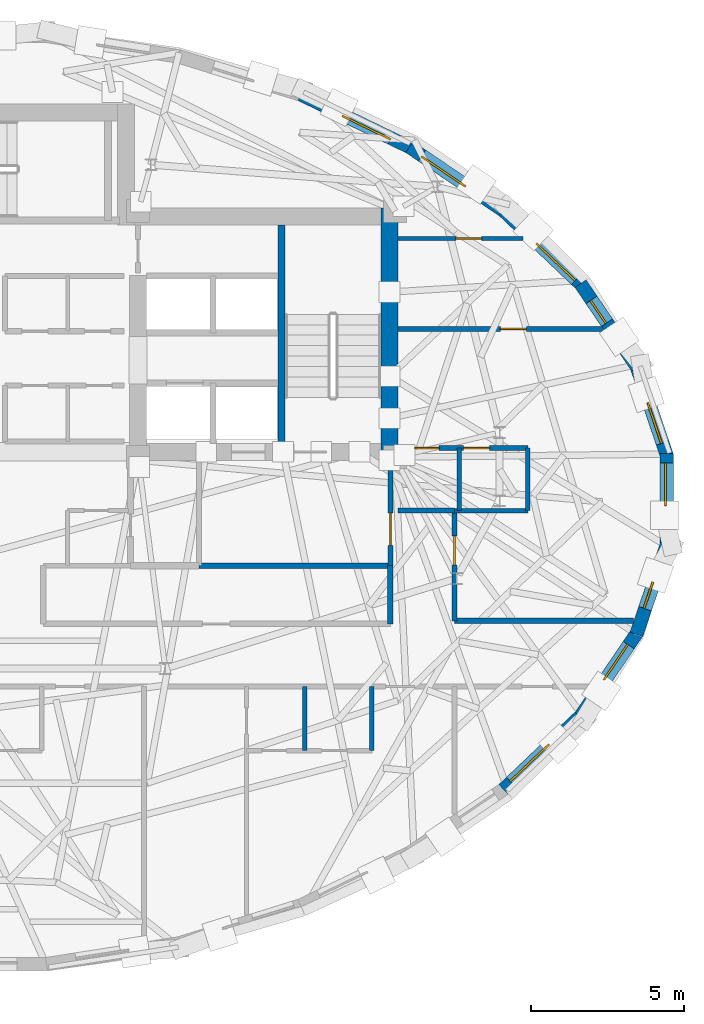
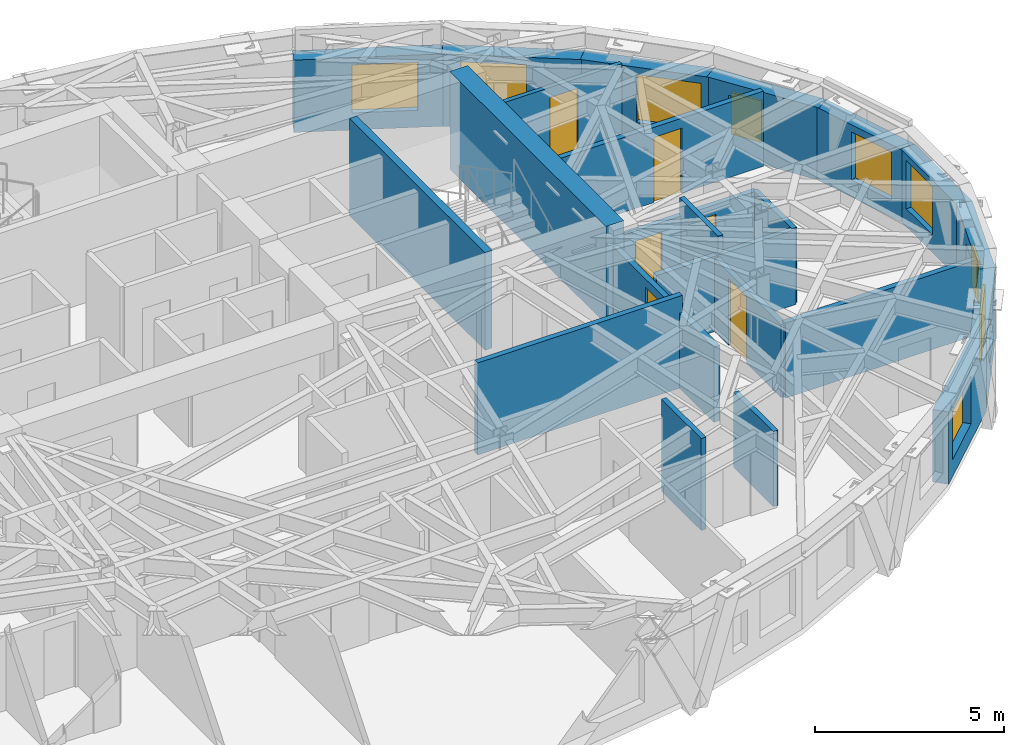
# One storey, part 10 of 14: 25 walls, 9 windows, 6 doors, 15 openings.
"""IFC4 building model written with IfcOpenShell, lengths in metres."""

from ifc_helpers import new_model, si_unit, direction, frame, frame_2d, origin, place, context, subcontext, project, spatial, rectangle, extrude, material, layer, layer_set, type_object, element, fill, save


model = new_model("IFC4")

# Units and contexts
model_context = context("Model", 3, precision=1e-05, world=origin(), true_north=direction((0.0, 1.0)))
body_context = subcontext(model_context, "Body", "Model", "MODEL_VIEW")
ifc_project = project(units=[si_unit("LENGTHUNIT", "METRE"), si_unit("AREAUNIT", "SQUARE_METRE"), si_unit("VOLUMEUNIT", "CUBIC_METRE"), si_unit("PLANEANGLEUNIT", "RADIAN"), si_unit("MASSUNIT", "GRAM", prefix="KILO")], contexts=[model_context])

# Site, building, storey
site_placement = place(None, origin())
site = spatial("IfcSite", under=ifc_project, at=site_placement, CompositionType="ELEMENT")
building_placement = place(site_placement, origin())
building = spatial("IfcBuilding", under=site, at=building_placement, Name="Keldmark Tower", CompositionType="ELEMENT")
storey_placement = place(building_placement, frame((0.0, 0.0, 225.75)))
storey = spatial("IfcBuildingStorey", under=building, at=storey_placement, Name="L63", CompositionType="ELEMENT", Elevation=225.75)

# Walls
ifc_material_1 = material(Name="Heavy Acoustic Plumbing Chase Gypsum Assembly", Category="gypsum")
ifc_layer_1 = layer(ifc_material_1, 0.18994140625)
ifc_layer_set_1 = layer_set([ifc_layer_1], Name="Heavy Acoustic Plumbing Chase Gypsum Assembly")
wall_type_1 = type_object("IfcWallType", Name="Heavy Wet Wall 190 mm", PredefinedType="PLUMBINGWALL", material=ifc_layer_set_1)
wall_1_placement = place(storey_placement, frame((13.449951171875, -4.050048828125, 0.0), z_axis=(0.0, 0.0, 1.0), x_axis=(0.0, 1.0, 0.0)))
element("IfcWall", 1, at=wall_1_placement, inside=storey, type_object=wall_type_1, Name="L63 Heavy Wet Wall 190 mm SPK-E-E", PredefinedType="PLUMBINGWALL", context=body_context, shape_type="SweptSolid", body=[
    extrude(rectangle(XDim=1.900146484375, YDim=0.18994140625, at=frame_2d((0.9501953125, 0.0))), origin(), (0.0, 0.0, 1.0), 2.423095703125),
])
ifc_material_2 = material(Name="Concrete C50/60", Category="concrete")
ifc_layer_2 = layer(ifc_material_2, 0.550048828125)
ifc_layer_set_2 = layer_set([ifc_layer_2], Name="Concrete C50/60")
wall_type_2 = type_object("IfcWallType", Name="High-Rise Core Shear Wall 550 mm", PredefinedType="SHEAR", material=ifc_layer_set_2)
wall_2_placement = place(storey_placement, frame((13.425048828125, 1.300048828125, 0.0), z_axis=(0.0, 0.0, 1.0), x_axis=(0.0, 1.0, 0.0)))
element("IfcWall", 2, at=wall_2_placement, inside=storey, type_object=wall_type_2, Name="L63 East Core Outer Shear Wall", PredefinedType="SHEAR", context=body_context, shape_type="SweptSolid", body=[
    extrude(rectangle(XDim=8.25, YDim=0.550048828125, at=frame_2d((4.125, 0.0))), origin(), (0.0, 0.0, 1.0), 3.14990234375),
])

# Wall, opening, door
ifc_material_3 = material(Name="Acoustic Gypsum Board Interior Partition", Category="gypsum")
ifc_layer_3 = layer(ifc_material_3, 0.1298828125)
ifc_layer_set_3 = layer_set([ifc_layer_3], Name="Acoustic Gypsum Board Interior Partition")
wall_type_3 = type_object("IfcWallType", Name="Interior Partition 130 mm", PredefinedType="PARTITIONING", material=ifc_layer_set_3)
wall_3_placement = place(storey_placement, frame((13.699951171875, 8.550048828125, 0.0), z_axis=(0.0, 0.0, 1.0), x_axis=(1.0, 0.0, 0.0)))
wall_3 = element("IfcWall", 3, at=wall_3_placement, inside=storey, type_object=wall_type_3, Name="L63 Interior Partition 130 mm UE-NDIV2", PredefinedType="PARTITIONING", context=body_context, shape_type="SweptSolid", body=[
    extrude(rectangle(XDim=4.0849609375, YDim=0.1298828125, at=frame_2d((2.04248046875, 0.0))), origin(), (0.0, 0.0, 1.0), 2.423095703125),
])
opening_1_placement = place(wall_3_placement, frame((1.89111328125, 0.0, 0.0)))
opening_1 = element("IfcOpeningElement", 4, at=opening_1_placement, cuts=wall_3, Name="Opening D-IN085", PredefinedType="OPENING", context=body_context, shape_type="SweptSolid", body=[
    extrude(rectangle(XDim=0.85009765625, YDim=2.10009765625, at=frame_2d((0.425048828125, 1.050048828125))), frame((0.0, 0.074951171875, 0.0), z_axis=(0.0, -1.0, 0.0), x_axis=(1.0, 0.0, 0.0)), (0.0, 0.0, 1.0), 0.14990234375),
])
ifc_material_4 = material(Name="Painted Architectural Wood", Category="wood")
door_type_1 = type_object("IfcDoorType", Name="Interior Door 850x2100", OperationType="NOTDEFINED", PredefinedType="DOOR", material=ifc_material_4)
door_1_placement = place(opening_1_placement, origin())
door_1 = element("IfcDoor", 5, at=door_1_placement, inside=storey, type_object=door_type_1, Name="L63 Interior Door 850x2100 D-UE-BR2-L63", OperationType="SINGLE_SWING_RIGHT", OverallHeight=2.10009765625, OverallWidth=0.85009765625, PredefinedType="DOOR", context=body_context, shape_type="SweptSolid", body=[
    extrude(rectangle(XDim=0.85009765625, YDim=2.10009765625, at=frame_2d((0.425048828125, 1.050048828125))), frame((0.0, 0.02490234375, 0.0), z_axis=(0.0, -1.0, 0.0), x_axis=(1.0, 0.0, 0.0)), (0.0, 0.0, 1.0), 0.050048828125),
])
fill(opening_1, door_1)

# Wall
ifc_material_5 = material(Name="Type X Fire-Rated Gypsum Partition Assembly", Category="gypsum")
ifc_layer_4 = layer(ifc_material_5, 0.1650390625)
ifc_layer_set_4 = layer_set([ifc_layer_4], Name="Type X Fire-Rated Gypsum Partition Assembly")
wall_type_4 = type_object("IfcWallType", Name="Rated Partition 165 mm", PredefinedType="PARTITIONING", material=ifc_layer_set_4)
wall_4_placement = place(storey_placement, frame((7.199951171875, -2.14990234375, 0.0), z_axis=(0.0, 0.0, 1.0), x_axis=(1.0, 0.0, 0.0)))
element("IfcWall", 6, at=wall_4_placement, inside=storey, type_object=wall_type_4, Name="L63 Rated Partition 165 mm FSAE-E-S", PredefinedType="PARTITIONING", context=body_context, shape_type="SweptSolid", body=[
    extrude(rectangle(XDim=6.25, YDim=0.1650390625, at=frame_2d((3.125, 0.0))), origin(), (0.0, 0.0, 1.0), 2.969970703125),
])

# Wall, opening, door
wall_5_placement = place(storey_placement, frame((13.449951171875, -2.14990234375, 0.0), z_axis=(0.0, 0.0, 1.0), x_axis=(0.0, 1.0, 0.0)))
wall_5 = element("IfcWall", 7, at=wall_5_placement, inside=storey, type_object=wall_type_4, Name="L63 Rated Partition 165 mm FSAE-E-E", PredefinedType="PARTITIONING", context=body_context, shape_type="SweptSolid", body=[
    extrude(rectangle(XDim=3.5, YDim=0.1650390625, at=frame_2d((1.75, 0.0))), origin(), (0.0, 0.0, 1.0), 2.423095703125),
])
opening_2_placement = place(wall_5_placement, frame((0.669921875, 0.0, 0.0)))
opening_2 = element("IfcOpeningElement", 8, at=opening_2_placement, cuts=wall_5, Name="Opening D-FL105", PredefinedType="OPENING", context=body_context, shape_type="SweptSolid", body=[
    extrude(rectangle(XDim=1.050048828125, YDim=2.14990234375, at=frame_2d((0.52490234375, 1.074951171875))), frame((0.0, 0.092529296875, 0.0), z_axis=(0.0, -1.0, 0.0), x_axis=(1.0, 0.0, 0.0)), (0.0, 0.0, 1.0), 0.18505859375),
])
ifc_material_6 = material(Name="Fire-Rated Mineral-Core Door and Vision Lite", Category="metal")
door_type_2 = type_object("IfcDoorType", Name="Fire Lobby Door 1050x2150", OperationType="NOTDEFINED", PredefinedType="DOOR", material=ifc_material_6)
door_2_placement = place(opening_2_placement, origin())
door_2 = element("IfcDoor", 9, at=door_2_placement, inside=storey, type_object=door_type_2, Name="L63 Fire Lobby Door 1050x2150 D-FSAEE-OUT-L63", OperationType="SINGLE_SWING_RIGHT", OverallHeight=2.14990234375, OverallWidth=1.050048828125, PredefinedType="DOOR", context=body_context, shape_type="SweptSolid", body=[
    extrude(rectangle(XDim=1.050048828125, YDim=2.14990234375, at=frame_2d((0.52490234375, 1.074951171875))), frame((0.0, 0.02490234375, 0.0), z_axis=(0.0, -1.0, 0.0), x_axis=(1.0, 0.0, 0.0)), (0.0, 0.0, 1.0), 0.050048828125),
])
fill(opening_2, door_2)

# Wall
wall_6_placement = place(storey_placement, frame((15.550048828125, -3.949951171875, 0.0), z_axis=(0.0, 0.0, 1.0), x_axis=(1.0, 0.0, 0.0)))
element("IfcWall", 10, at=wall_6_placement, inside=storey, type_object=wall_type_4, Name="L63 Rated Partition 165 mm RCOR-EN-OUT", PredefinedType="PARTITIONING", context=body_context, shape_type="SweptSolid", body=[
    extrude(rectangle(XDim=5.8603515625, YDim=0.1650390625, at=frame_2d((2.93017578125, 0.0))), origin(), (0.0, 0.0, 1.0), 2.423095703125),
])

# Wall, opening, door
wall_7_placement = place(storey_placement, frame((15.550048828125, -3.949951171875, 0.0), z_axis=(0.0, 0.0, 1.0), x_axis=(0.0, 1.0, 0.0)))
wall_7 = element("IfcWall", 11, at=wall_7_placement, inside=storey, type_object=wall_type_4, Name="L63 Rated Partition 165 mm RCOR-VE", PredefinedType="PARTITIONING", context=body_context, shape_type="SweptSolid", body=[
    extrude(rectangle(XDim=3.599853515625, YDim=0.1650390625, at=frame_2d((1.7998046875, 0.0))), origin(), (0.0, 0.0, 1.0), 2.35693359375),
])
opening_3_placement = place(wall_7_placement, frame((1.830078125, 0.0, 0.0)))
opening_3 = element("IfcOpeningElement", 12, at=opening_3_placement, cuts=wall_7, Name="Opening D-AP095", PredefinedType="OPENING", context=body_context, shape_type="SweptSolid", body=[
    extrude(rectangle(XDim=0.949951171875, YDim=2.14990234375, at=frame_2d((0.47509765625, 1.074951171875))), frame((0.0, 0.092529296875, 0.0), z_axis=(0.0, -1.0, 0.0), x_axis=(1.0, 0.0, 0.0)), (0.0, 0.0, 1.0), 0.18505859375),
])
ifc_material_7 = material(Name="Solid-Core Walnut Fire-Rated Entry Assembly", Category="wood")
door_type_3 = type_object("IfcDoorType", Name="Apartment Entry Door 950x2150", OperationType="NOTDEFINED", PredefinedType="DOOR", material=ifc_material_7)
door_3_placement = place(opening_3_placement, origin())
door_3 = element("IfcDoor", 13, at=door_3_placement, inside=storey, type_object=door_type_3, Name="L63 Apartment Entry Door 950x2150 D-UE-ENT-L63", OperationType="SINGLE_SWING_RIGHT", OverallHeight=2.14990234375, OverallWidth=0.949951171875, PredefinedType="DOOR", context=body_context, shape_type="SweptSolid", body=[
    extrude(rectangle(XDim=0.949951171875, YDim=2.14990234375, at=frame_2d((0.47509765625, 1.074951171875))), frame((0.0, 0.02490234375, 0.0), z_axis=(0.0, -1.0, 0.0), x_axis=(1.0, 0.0, 0.0)), (0.0, 0.0, 1.0), 0.050048828125),
])
fill(opening_3, door_3)

# Wall
wall_8_placement = place(storey_placement, frame((13.699951171875, -0.35009765625, 0.0), z_axis=(0.0, 0.0, 1.0), x_axis=(1.0, 0.0, 0.0)))
element("IfcWall", 14, at=wall_8_placement, inside=storey, type_object=wall_type_4, Name="L63 Rated Partition 165 mm RCOR-VEN", PredefinedType="PARTITIONING", context=body_context, shape_type="SweptSolid", body=[
    extrude(rectangle(XDim=1.85009765625, YDim=0.1650390625, at=frame_2d((0.925048828125, 0.0))), origin(), (0.0, 0.0, 1.0), 2.423095703125),
])

# Wall, opening, door
wall_9_placement = place(storey_placement, frame((13.699951171875, 5.60009765625, 0.0), z_axis=(0.0, 0.0, 1.0), x_axis=(1.0, 0.0, 0.0)))
wall_9 = element("IfcWall", 15, at=wall_9_placement, inside=storey, type_object=wall_type_4, Name="L63 Rated Partition 165 mm RE-NDIV", PredefinedType="PARTITIONING", context=body_context, shape_type="SweptSolid", body=[
    extrude(rectangle(XDim=6.6982421875, YDim=0.1650390625, at=frame_2d((3.34912109375, 0.0))), origin(), (0.0, 0.0, 1.0), 2.423095703125),
])
opening_4_placement = place(wall_9_placement, frame((3.35205078125, 0.0, 0.0)))
opening_4 = element("IfcOpeningElement", 16, at=opening_4_placement, cuts=wall_9, Name="Opening D-BR085", PredefinedType="OPENING", context=body_context, shape_type="SweptSolid", body=[
    extrude(rectangle(XDim=0.85009765625, YDim=2.10009765625, at=frame_2d((0.425048828125, 1.050048828125))), frame((0.0, 0.092529296875, 0.0), z_axis=(0.0, -1.0, 0.0), x_axis=(1.0, 0.0, 0.0)), (0.0, 0.0, 1.0), 0.18505859375),
])
ifc_material_8 = material(Name="Solid-Core Stained Walnut Wood", Category="wood")
door_type_4 = type_object("IfcDoorType", Name="Bedroom Door 850x2100", OperationType="NOTDEFINED", PredefinedType="DOOR", material=ifc_material_8)
door_4_placement = place(opening_4_placement, origin())
door_4 = element("IfcDoor", 17, at=door_4_placement, inside=storey, type_object=door_type_4, Name="L63 Bedroom Door 850x2100 D-UE-BR1-L63", OperationType="SINGLE_SWING_LEFT", OverallHeight=2.10009765625, OverallWidth=0.85009765625, PredefinedType="DOOR", context=body_context, shape_type="SweptSolid", body=[
    extrude(rectangle(XDim=0.85009765625, YDim=2.10009765625, at=frame_2d((0.425048828125, 1.050048828125))), frame((0.0, 0.02490234375, 0.0), z_axis=(0.0, -1.0, 0.0), x_axis=(1.0, 0.0, 0.0)), (0.0, 0.0, 1.0), 0.050048828125),
])
fill(opening_4, door_4)

# Wall
ifc_material_9 = material(Name="Concrete C50/60", Category="concrete")
ifc_layer_5 = layer(ifc_material_9, 0.219970703125)
ifc_layer_set_5 = layer_set([ifc_layer_5], Name="Concrete C50/60")
wall_type_5 = type_object("IfcWallType", Name="Stair Core Shear Wall 220 mm", PredefinedType="SHEAR", material=ifc_layer_set_5)
wall_10_placement = place(storey_placement, frame((9.889892578125, 1.85009765625, 0.0), z_axis=(0.0, 0.0, 1.0), x_axis=(0.0, 1.0, 0.0)))
element("IfcWall", 18, at=wall_10_placement, inside=storey, type_object=wall_type_5, Name="L63 East Stair Core Shear Wall", PredefinedType="SHEAR", context=body_context, shape_type="SweptSolid", body=[
    extrude(rectangle(XDim=7.14990234375, YDim=0.219970703125, at=frame_2d((3.574951171875, 0.0))), origin(), (0.0, 0.0, 1.0), 3.14990234375),
])

# Wall, opening, window
ifc_material_10 = material(Name="Ironspot Manganese Brick and Kasota Buff Limestone Spandrel Assembly", Category="masonry")
ifc_layer_6 = layer(ifc_material_10, 0.43994140625)
ifc_layer_set_6 = layer_set([ifc_layer_6], Name="Ironspot Manganese Brick and Kasota Buff Limestone Spandrel Assembly")
wall_type_6 = type_object("IfcWallType", Name="Tower Brick Pier and Spandrel Wall 440 mm", PredefinedType="STANDARD", material=ifc_layer_set_6)
wall_11_placement = place(storey_placement, frame((21.500244140625, 4.395263671875, 0.0), z_axis=(0.0, 0.0, 1.0), x_axis=(0.32132647272, -0.946968477791, 0.0)))
wall_11 = element("IfcWall", 19, at=wall_11_placement, inside=storey, type_object=wall_type_6, Name="L63 Exterior Brick and Spandrel Wall 01", PredefinedType="STANDARD", context=body_context, shape_type="SweptSolid", body=[
    extrude(rectangle(XDim=3.1142578125, YDim=0.43994140625, at=frame_2d((1.55712890625, 0.0))), origin(), (0.0, 0.0, 1.0), 2.3359375),
])
opening_5_placement = place(wall_11_placement, frame((1.27099609375, 0.0, 0.550048828125)))
opening_5 = element("IfcOpeningElement", 20, at=opening_5_placement, cuts=wall_11, Name="Opening W-08", PredefinedType="OPENING", context=body_context, shape_type="SweptSolid", body=[
    extrude(rectangle(XDim=1.39990234375, YDim=1.550048828125, at=frame_2d((0.699951171875, 0.77490234375))), frame((0.0, 0.22998046875, 0.0), z_axis=(0.0, -1.0, 0.0), x_axis=(1.0, 0.0, 0.0)), (0.0, 0.0, 1.0), 0.4599609375),
])
ifc_material_11 = material(Name="Thermally Broken Anodized Aluminum and Triple Low-E Argon Glazing", Category="aluminium")
window_type_1 = type_object("IfcWindowType", Name="Residential Corner Punched Window 1400x1550", PartitioningType="SINGLE_PANEL", PredefinedType="WINDOW", material=ifc_material_11)
window_1_placement = place(opening_5_placement, origin())
window_1 = element("IfcWindow", 21, at=window_1_placement, inside=storey, type_object=window_type_1, Name="L63 Deep-Set Window 01", OverallHeight=1.550048828125, OverallWidth=1.39990234375, PartitioningType="SINGLE_PANEL", PredefinedType="WINDOW", context=body_context, shape_type="SweptSolid", body=[
    extrude(rectangle(XDim=1.39990234375, YDim=1.550048828125, at=frame_2d((0.699951171875, 0.77490234375))), frame((0.0, -0.010009765625, 0.0), z_axis=(0.0, -1.0, 0.0), x_axis=(1.0, 0.0, 0.0)), (0.0, 0.0, 1.0), 0.06005859375),
])
fill(opening_5, window_1)

wall_12_placement = place(storey_placement, frame((19.674072265625, 7.07421875, 0.0), z_axis=(0.0, 0.0, 1.0), x_axis=(0.561186647073, -0.827689281764, 0.0)))
wall_12 = element("IfcWall", 22, at=wall_12_placement, inside=storey, type_object=wall_type_6, Name="L63 Exterior Brick and Spandrel Wall 02", PredefinedType="STANDARD", context=body_context, shape_type="SweptSolid", body=[
    extrude(rectangle(XDim=3.30078125, YDim=0.43994140625, at=frame_2d((1.650390625, 0.0))), origin(), (0.0, 0.0, 1.0), 2.3359375),
])
opening_6_placement = place(wall_12_placement, frame((0.63916015625, 0.0, 0.580078125)))
opening_6 = element("IfcOpeningElement", 23, at=opening_6_placement, cuts=wall_12, Name="Opening W-09", PredefinedType="OPENING", context=body_context, shape_type="SweptSolid", body=[
    extrude(rectangle(XDim=0.89990234375, YDim=1.35009765625, at=frame_2d((0.449951171875, 0.675048828125))), frame((0.0, 0.22998046875, 0.0), z_axis=(0.0, -1.0, 0.0), x_axis=(1.0, 0.0, 0.0)), (0.0, 0.0, 1.0), 0.4599609375),
])
ifc_material_12 = material(Name="Thermally Broken Anodized Aluminum and Triple Low-E Argon Glazing", Category="aluminium")
window_type_2 = type_object("IfcWindowType", Name="Corner Pier Deep-Set Window 900x1350", PartitioningType="SINGLE_PANEL", PredefinedType="WINDOW", material=ifc_material_12)
window_2_placement = place(opening_6_placement, origin())
window_2 = element("IfcWindow", 24, at=window_2_placement, inside=storey, type_object=window_type_2, Name="L63 Deep-Set Window 02", OverallHeight=1.35009765625, OverallWidth=0.89990234375, PartitioningType="SINGLE_PANEL", PredefinedType="WINDOW", context=body_context, shape_type="SweptSolid", body=[
    extrude(rectangle(XDim=0.89990234375, YDim=1.35009765625, at=frame_2d((0.449951171875, 0.675048828125))), frame((0.0, -0.010009765625, 0.0), z_axis=(0.0, -1.0, 0.0), x_axis=(1.0, 0.0, 0.0)), (0.0, 0.0, 1.0), 0.06005859375),
])
fill(opening_6, window_2)

wall_13_placement = place(storey_placement, frame((17.149169921875, 9.469482421875, 0.0), z_axis=(0.0, 0.0, 1.0), x_axis=(0.724503260132, -0.689271373306, 0.0)))
wall_13 = element("IfcWall", 25, at=wall_13_placement, inside=storey, type_object=wall_type_6, Name="L63 Exterior Brick and Spandrel Wall 03", PredefinedType="STANDARD", context=body_context, shape_type="SweptSolid", body=[
    extrude(rectangle(XDim=3.527099609375, YDim=0.43994140625, at=frame_2d((1.763671875, 0.0))), origin(), (0.0, 0.0, 1.0), 2.3359375),
])
opening_7_placement = place(wall_13_placement, frame((1.528076171875, 0.0, 0.550048828125)))
opening_7 = element("IfcOpeningElement", 26, at=opening_7_placement, cuts=wall_13, Name="Opening W-05", PredefinedType="OPENING", context=body_context, shape_type="SweptSolid", body=[
    extrude(rectangle(XDim=1.75, YDim=1.550048828125, at=frame_2d((0.875, 0.77490234375))), frame((0.0, 0.22998046875, 0.0), z_axis=(0.0, -1.0, 0.0), x_axis=(1.0, 0.0, 0.0)), (0.0, 0.0, 1.0), 0.4599609375),
])
ifc_material_13 = material(Name="Thermally Broken Anodized Aluminum and Triple Low-E Argon Glazing", Category="aluminium")
window_type_3 = type_object("IfcWindowType", Name="Residential Deep-Set Window 1750x1550", PartitioningType="DOUBLE_PANEL_VERTICAL", PredefinedType="WINDOW", material=ifc_material_13)
window_3_placement = place(opening_7_placement, origin())
window_3 = element("IfcWindow", 27, at=window_3_placement, inside=storey, type_object=window_type_3, Name="L63 Deep-Set Window 03", OverallHeight=1.550048828125, OverallWidth=1.75, PartitioningType="SINGLE_PANEL", PredefinedType="WINDOW", context=body_context, shape_type="SweptSolid", body=[
    extrude(rectangle(XDim=1.75, YDim=1.550048828125, at=frame_2d((0.875, 0.77490234375))), frame((0.0, -0.010009765625, 0.0), z_axis=(0.0, -1.0, 0.0), x_axis=(1.0, 0.0, 0.0)), (0.0, 0.0, 1.0), 0.06005859375),
])
fill(opening_7, window_3)

wall_14_placement = place(storey_placement, frame((14.07470703125, 11.55078125, 0.0), z_axis=(0.0, 0.0, 1.0), x_axis=(0.827635686249, -0.561265686504, 0.0)))
wall_14 = element("IfcWall", 28, at=wall_14_placement, inside=storey, type_object=wall_type_6, Name="L63 Exterior Brick and Spandrel Wall 04", PredefinedType="STANDARD", context=body_context, shape_type="SweptSolid", body=[
    extrude(rectangle(XDim=3.748779296875, YDim=0.43994140625, at=frame_2d((1.87451171875, 0.0))), origin(), (0.0, 0.0, 1.0), 2.3359375),
])
opening_8_placement = place(wall_14_placement, frame((0.499755859375, 0.0, 0.550048828125)))
opening_8 = element("IfcOpeningElement", 29, at=opening_8_placement, cuts=wall_14, Name="Opening W-05", PredefinedType="OPENING", context=body_context, shape_type="SweptSolid", body=[
    extrude(rectangle(XDim=1.75, YDim=1.550048828125, at=frame_2d((0.875, 0.77490234375))), frame((0.0, 0.22998046875, 0.0), z_axis=(0.0, -1.0, 0.0), x_axis=(1.0, 0.0, 0.0)), (0.0, 0.0, 1.0), 0.4599609375),
])
window_4_placement = place(opening_8_placement, origin())
window_4 = element("IfcWindow", 30, at=window_4_placement, inside=storey, type_object=window_type_3, Name="L63 Deep-Set Window 04", OverallHeight=1.550048828125, OverallWidth=1.75, PartitioningType="SINGLE_PANEL", PredefinedType="WINDOW", context=body_context, shape_type="SweptSolid", body=[
    extrude(rectangle(XDim=1.75, YDim=1.550048828125, at=frame_2d((0.875, 0.77490234375))), frame((0.0, -0.010009765625, 0.0), z_axis=(0.0, -1.0, 0.0), x_axis=(1.0, 0.0, 0.0)), (0.0, 0.0, 1.0), 0.06005859375),
])
fill(opening_8, window_4)

wall_15_placement = place(storey_placement, frame((10.517578125, 13.267822265625, 0.0), z_axis=(0.0, 0.0, 1.0), x_axis=(0.900331335269, -0.435205108808, 0.0)))
wall_15 = element("IfcWall", 31, at=wall_15_placement, inside=storey, type_object=wall_type_6, Name="L63 Exterior Brick and Spandrel Wall 05", PredefinedType="STANDARD", context=body_context, shape_type="SweptSolid", body=[
    extrude(rectangle(XDim=3.98193359375, YDim=0.43994140625, at=frame_2d((1.990966796875, 0.0))), origin(), (0.0, 0.0, 1.0), 2.3359375),
])
opening_9_placement = place(wall_15_placement, frame((1.536865234375, 0.0, 0.550048828125)))
opening_9 = element("IfcOpeningElement", 32, at=opening_9_placement, cuts=wall_15, Name="Opening W-05", PredefinedType="OPENING", context=body_context, shape_type="SweptSolid", body=[
    extrude(rectangle(XDim=1.75, YDim=1.550048828125, at=frame_2d((0.875, 0.77490234375))), frame((0.0, 0.22998046875, 0.0), z_axis=(0.0, -1.0, 0.0), x_axis=(1.0, 0.0, 0.0)), (0.0, 0.0, 1.0), 0.4599609375),
])
window_5_placement = place(opening_9_placement, origin())
window_5 = element("IfcWindow", 33, at=window_5_placement, inside=storey, type_object=window_type_3, Name="L63 Deep-Set Window 05", OverallHeight=1.550048828125, OverallWidth=1.75, PartitioningType="SINGLE_PANEL", PredefinedType="WINDOW", context=body_context, shape_type="SweptSolid", body=[
    extrude(rectangle(XDim=1.75, YDim=1.550048828125, at=frame_2d((0.875, 0.77490234375))), frame((0.0, -0.010009765625, 0.0), z_axis=(0.0, -1.0, 0.0), x_axis=(1.0, 0.0, 0.0)), (0.0, 0.0, 1.0), 0.06005859375),
])
fill(opening_9, window_5)

wall_16_placement = place(storey_placement, frame((19.70458984375, -7.038330078125, 0.0), z_axis=(0.0, 0.0, 1.0), x_axis=(-0.724503260132, -0.689271373306, 0.0)))
wall_16 = element("IfcWall", 34, at=wall_16_placement, inside=storey, type_object=wall_type_6, Name="L63 Exterior Brick and Spandrel Wall 29", PredefinedType="STANDARD", context=body_context, shape_type="SweptSolid", body=[
    extrude(rectangle(XDim=3.527099609375, YDim=0.43994140625, at=frame_2d((1.763671875, 0.0))), origin(), (0.0, 0.0, 1.0), 2.3359375),
])
opening_10_placement = place(wall_16_placement, frame((1.4296875, 0.0, 0.550048828125)))
opening_10 = element("IfcOpeningElement", 35, at=opening_10_placement, cuts=wall_16, Name="Opening W-05", PredefinedType="OPENING", context=body_context, shape_type="SweptSolid", body=[
    extrude(rectangle(XDim=1.75, YDim=1.550048828125, at=frame_2d((0.875, 0.77490234375))), frame((0.0, 0.22998046875, 0.0), z_axis=(0.0, -1.0, 0.0), x_axis=(1.0, 0.0, 0.0)), (0.0, 0.0, 1.0), 0.4599609375),
])
window_6_placement = place(opening_10_placement, origin())
window_6 = element("IfcWindow", 36, at=window_6_placement, inside=storey, type_object=window_type_3, Name="L63 Deep-Set Window 29", OverallHeight=1.550048828125, OverallWidth=1.75, PartitioningType="SINGLE_PANEL", PredefinedType="WINDOW", context=body_context, shape_type="SweptSolid", body=[
    extrude(rectangle(XDim=1.75, YDim=1.550048828125, at=frame_2d((0.875, 0.77490234375))), frame((0.0, -0.010009765625, 0.0), z_axis=(0.0, -1.0, 0.0), x_axis=(1.0, 0.0, 0.0)), (0.0, 0.0, 1.0), 0.06005859375),
])
fill(opening_10, window_6)

wall_17_placement = place(storey_placement, frame((21.5263671875, -4.34228515625, 0.0), z_axis=(0.0, 0.0, 1.0), x_axis=(-0.561186647073, -0.827689281764, 0.0)))
wall_17 = element("IfcWall", 37, at=wall_17_placement, inside=storey, type_object=wall_type_6, Name="L63 Exterior Brick and Spandrel Wall 30", PredefinedType="STANDARD", context=body_context, shape_type="SweptSolid", body=[
    extrude(rectangle(XDim=3.30078125, YDim=0.43994140625, at=frame_2d((1.650390625, 0.0))), origin(), (0.0, 0.0, 1.0), 2.3359375),
])
opening_11_placement = place(wall_17_placement, frame((0.490478515625, 0.0, 0.580078125)))
opening_11 = element("IfcOpeningElement", 38, at=opening_11_placement, cuts=wall_17, Name="Opening W-08", PredefinedType="OPENING", context=body_context, shape_type="SweptSolid", body=[
    extrude(rectangle(XDim=1.39990234375, YDim=1.550048828125, at=frame_2d((0.699951171875, 0.77490234375))), frame((0.0, 0.22998046875, 0.0), z_axis=(0.0, -1.0, 0.0), x_axis=(1.0, 0.0, 0.0)), (0.0, 0.0, 1.0), 0.4599609375),
])
window_7_placement = place(opening_11_placement, origin())
window_7 = element("IfcWindow", 39, at=window_7_placement, inside=storey, type_object=window_type_1, Name="L63 Deep-Set Window 30", OverallHeight=1.550048828125, OverallWidth=1.39990234375, PartitioningType="SINGLE_PANEL", PredefinedType="WINDOW", context=body_context, shape_type="SweptSolid", body=[
    extrude(rectangle(XDim=1.39990234375, YDim=1.550048828125, at=frame_2d((0.699951171875, 0.77490234375))), frame((0.0, -0.010009765625, 0.0), z_axis=(0.0, -1.0, 0.0), x_axis=(1.0, 0.0, 0.0)), (0.0, 0.0, 1.0), 0.06005859375),
])
fill(opening_11, window_7)

wall_18_placement = place(storey_placement, frame((22.5009765625, -1.446044921875, 0.0), z_axis=(0.0, 0.0, 1.0), x_axis=(-0.32132647272, -0.946968477791, 0.0)))
wall_18 = element("IfcWall", 40, at=wall_18_placement, inside=storey, type_object=wall_type_6, Name="L63 Exterior Brick and Spandrel Wall 31", PredefinedType="STANDARD", context=body_context, shape_type="SweptSolid", body=[
    extrude(rectangle(XDim=3.1142578125, YDim=0.43994140625, at=frame_2d((1.55712890625, 0.0))), origin(), (0.0, 0.0, 1.0), 2.3359375),
])
opening_12_placement = place(wall_18_placement, frame((1.327880859375, 0.0, 0.580078125)))
opening_12 = element("IfcOpeningElement", 41, at=opening_12_placement, cuts=wall_18, Name="Opening W-09", PredefinedType="OPENING", context=body_context, shape_type="SweptSolid", body=[
    extrude(rectangle(XDim=0.89990234375, YDim=1.35009765625, at=frame_2d((0.449951171875, 0.675048828125))), frame((0.0, 0.22998046875, 0.0), z_axis=(0.0, -1.0, 0.0), x_axis=(1.0, 0.0, 0.0)), (0.0, 0.0, 1.0), 0.4599609375),
])
window_8_placement = place(opening_12_placement, origin())
window_8 = element("IfcWindow", 42, at=window_8_placement, inside=storey, type_object=window_type_2, Name="L63 Deep-Set Window 31", OverallHeight=1.35009765625, OverallWidth=0.89990234375, PartitioningType="SINGLE_PANEL", PredefinedType="WINDOW", context=body_context, shape_type="SweptSolid", body=[
    extrude(rectangle(XDim=0.89990234375, YDim=1.35009765625, at=frame_2d((0.449951171875, 0.675048828125))), frame((0.0, -0.010009765625, 0.0), z_axis=(0.0, -1.0, 0.0), x_axis=(1.0, 0.0, 0.0)), (0.0, 0.0, 1.0), 0.06005859375),
])
fill(opening_12, window_8)

wall_19_placement = place(storey_placement, frame((22.4892578125, 1.516845703125, 0.0), z_axis=(0.0, 0.0, 1.0), x_axis=(0.0, -1.0, 0.0)))
wall_19 = element("IfcWall", 43, at=wall_19_placement, inside=storey, type_object=wall_type_6, Name="L63 Exterior Brick and Spandrel Wall 32", PredefinedType="STANDARD", context=body_context, shape_type="SweptSolid", body=[
    extrude(rectangle(XDim=3.03369140625, YDim=0.43994140625, at=frame_2d((1.516845703125, 0.0))), origin(), (0.0, 0.0, 1.0), 2.3359375),
])
opening_13_placement = place(wall_19_placement, frame((0.298583984375, 0.0, 0.580078125)))
opening_13 = element("IfcOpeningElement", 44, at=opening_13_placement, cuts=wall_19, Name="Opening W-08", PredefinedType="OPENING", context=body_context, shape_type="SweptSolid", body=[
    extrude(rectangle(XDim=1.39990234375, YDim=1.550048828125, at=frame_2d((0.699951171875, 0.77490234375))), frame((0.0, 0.22998046875, 0.0), z_axis=(0.0, -1.0, 0.0), x_axis=(1.0, 0.0, 0.0)), (0.0, 0.0, 1.0), 0.4599609375),
])
window_9_placement = place(opening_13_placement, origin())
window_9 = element("IfcWindow", 45, at=window_9_placement, inside=storey, type_object=window_type_1, Name="L63 Deep-Set Window 32", OverallHeight=1.550048828125, OverallWidth=1.39990234375, PartitioningType="SINGLE_PANEL", PredefinedType="WINDOW", context=body_context, shape_type="SweptSolid", body=[
    extrude(rectangle(XDim=1.39990234375, YDim=1.550048828125, at=frame_2d((0.699951171875, 0.77490234375))), frame((0.0, -0.010009765625, 0.0), z_axis=(0.0, -1.0, 0.0), x_axis=(1.0, 0.0, 0.0)), (0.0, 0.0, 1.0), 0.06005859375),
])
fill(opening_13, window_9)

# Walls
ifc_material_14 = material(Name="Moisture-Resistant Gypsum Plumbing Partition", Category="gypsum")
ifc_layer_7 = layer(ifc_material_14, 0.14990234375)
ifc_layer_set_7 = layer_set([ifc_layer_7], Name="Moisture-Resistant Gypsum Plumbing Partition")
wall_type_7 = type_object("IfcWallType", Name="Wet Wall 150 mm", PredefinedType="PLUMBINGWALL", material=ifc_layer_set_7)
wall_20_placement = place(storey_placement, frame((10.64990234375, -8.199951171875, 0.0), z_axis=(0.0, 0.0, 1.0), x_axis=(0.0, 1.0, 0.0)))
element("IfcWall", 46, at=wall_20_placement, inside=storey, type_object=wall_type_7, Name="L63 Wet Wall 150 mm UC-BK-M", PredefinedType="PLUMBINGWALL", context=body_context, shape_type="SweptSolid", body=[
    extrude(rectangle(XDim=2.099853515625, YDim=0.14990234375, at=frame_2d((1.0498046875, 0.0))), origin(), (0.0, 0.0, 1.0), 2.969970703125),
])
wall_21_placement = place(storey_placement, frame((12.85009765625, -8.199951171875, 0.0), z_axis=(0.0, 0.0, 1.0), x_axis=(0.0, 1.0, 0.0)))
element("IfcWall", 47, at=wall_21_placement, inside=storey, type_object=wall_type_7, Name="L63 Wet Wall 150 mm UC-BK-E", PredefinedType="PLUMBINGWALL", context=body_context, shape_type="SweptSolid", body=[
    extrude(rectangle(XDim=2.099853515625, YDim=0.14990234375, at=frame_2d((1.0498046875, 0.0))), origin(), (0.0, 0.0, 1.0), 2.423095703125),
])

# Wall, openings, doors
wall_22_placement = place(storey_placement, frame((13.699951171875, 1.699951171875, 0.0), z_axis=(0.0, 0.0, 1.0), x_axis=(1.0, 0.0, 0.0)))
wall_22 = element("IfcWall", 48, at=wall_22_placement, inside=storey, type_object=wall_type_7, Name="L63 Wet Wall 150 mm UE-BK-N", PredefinedType="PLUMBINGWALL", context=body_context, shape_type="SweptSolid", body=[
    extrude(rectangle(XDim=4.25, YDim=0.14990234375, at=frame_2d((2.125, 0.0))), origin(), (0.0, 0.0, 1.0), 2.423095703125),
])
opening_14_placement = place(wall_22_placement, frame((0.550048828125, 0.0, 0.0)))
opening_14 = element("IfcOpeningElement", 49, at=opening_14_placement, cuts=wall_22, Name="Opening D-BT080", PredefinedType="OPENING", context=body_context, shape_type="SweptSolid", body=[
    extrude(rectangle(XDim=0.800048828125, YDim=2.10009765625, at=frame_2d((0.39990234375, 1.050048828125))), frame((0.0, 0.0849609375, 0.0), z_axis=(0.0, -1.0, 0.0), x_axis=(1.0, 0.0, 0.0)), (0.0, 0.0, 1.0), 0.169921875),
])
opening_15_placement = place(wall_22_placement, frame((2.14990234375, 0.0, 0.0)))
opening_15 = element("IfcOpeningElement", 50, at=opening_15_placement, cuts=wall_22, Name="Opening D-IN085", PredefinedType="OPENING", context=body_context, shape_type="SweptSolid", body=[
    extrude(rectangle(XDim=0.85009765625, YDim=2.10009765625, at=frame_2d((0.425048828125, 1.050048828125))), frame((0.0, 0.0849609375, 0.0), z_axis=(0.0, -1.0, 0.0), x_axis=(1.0, 0.0, 0.0)), (0.0, 0.0, 1.0), 0.169921875),
])
ifc_material_15 = material(Name="Moisture-Sealed Stained Wood", Category="wood")
door_type_5 = type_object("IfcDoorType", Name="Bathroom Door 800x2100", OperationType="NOTDEFINED", PredefinedType="DOOR", material=ifc_material_15)
door_5_placement = place(opening_14_placement, origin())
door_5 = element("IfcDoor", 51, at=door_5_placement, inside=storey, type_object=door_type_5, Name="L63 Bathroom Door 800x2100 D-UE-BATH-L63", OperationType="SINGLE_SWING_RIGHT", OverallHeight=2.10009765625, OverallWidth=0.800048828125, PredefinedType="DOOR", context=body_context, shape_type="SweptSolid", body=[
    extrude(rectangle(XDim=0.800048828125, YDim=2.10009765625, at=frame_2d((0.39990234375, 1.050048828125))), frame((0.0, 0.02490234375, 0.0), z_axis=(0.0, -1.0, 0.0), x_axis=(1.0, 0.0, 0.0)), (0.0, 0.0, 1.0), 0.050048828125),
])
fill(opening_14, door_5)
door_6_placement = place(opening_15_placement, origin())
door_6 = element("IfcDoor", 52, at=door_6_placement, inside=storey, type_object=door_type_1, Name="L63 Interior Door 850x2100 D-UE-KIT-L63", OperationType="SINGLE_SWING_LEFT", OverallHeight=2.10009765625, OverallWidth=0.85009765625, PredefinedType="DOOR", context=body_context, shape_type="SweptSolid", body=[
    extrude(rectangle(XDim=0.85009765625, YDim=2.10009765625, at=frame_2d((0.425048828125, 1.050048828125))), frame((0.0, 0.02490234375, 0.0), z_axis=(0.0, -1.0, 0.0), x_axis=(1.0, 0.0, 0.0)), (0.0, 0.0, 1.0), 0.050048828125),
])
fill(opening_15, door_6)

# Walls
wall_23_placement = place(storey_placement, frame((15.550048828125, -0.35009765625, 0.0), z_axis=(0.0, 0.0, 1.0), x_axis=(1.0, 0.0, 0.0)))
element("IfcWall", 53, at=wall_23_placement, inside=storey, type_object=wall_type_7, Name="L63 Wet Wall 150 mm UE-BK-S", PredefinedType="PLUMBINGWALL", context=body_context, shape_type="SweptSolid", body=[
    extrude(rectangle(XDim=2.39990234375, YDim=0.14990234375, at=frame_2d((1.199951171875, 0.0))), origin(), (0.0, 0.0, 1.0), 2.423095703125),
])
wall_24_placement = place(storey_placement, frame((15.699951171875, -0.35009765625, 0.0), z_axis=(0.0, 0.0, 1.0), x_axis=(0.0, 1.0, 0.0)))
element("IfcWall", 54, at=wall_24_placement, inside=storey, type_object=wall_type_7, Name="L63 Wet Wall 150 mm UE-BK-M", PredefinedType="PLUMBINGWALL", context=body_context, shape_type="SweptSolid", body=[
    extrude(rectangle(XDim=2.050048828125, YDim=0.14990234375, at=frame_2d((1.02490234375, 0.0))), origin(), (0.0, 0.0, 1.0), 2.969970703125),
])
wall_25_placement = place(storey_placement, frame((17.949951171875, -0.35009765625, 0.0), z_axis=(0.0, 0.0, 1.0), x_axis=(0.0, 1.0, 0.0)))
element("IfcWall", 55, at=wall_25_placement, inside=storey, type_object=wall_type_7, Name="L63 Wet Wall 150 mm UE-BK-OUT", PredefinedType="PLUMBINGWALL", context=body_context, shape_type="SweptSolid", body=[
    extrude(rectangle(XDim=2.050048828125, YDim=0.14990234375, at=frame_2d((1.02490234375, 0.0))), origin(), (0.0, 0.0, 1.0), 2.423095703125),
])

save(model, "model.ifc")
